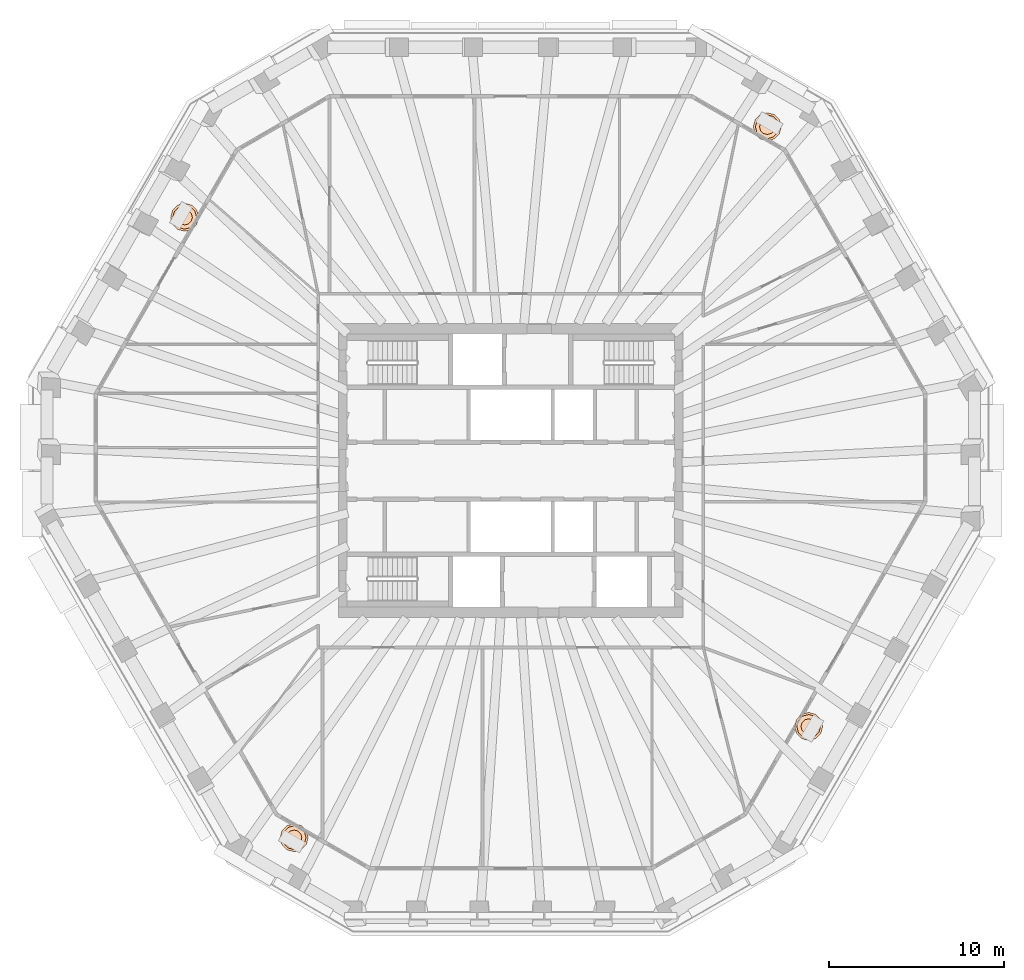
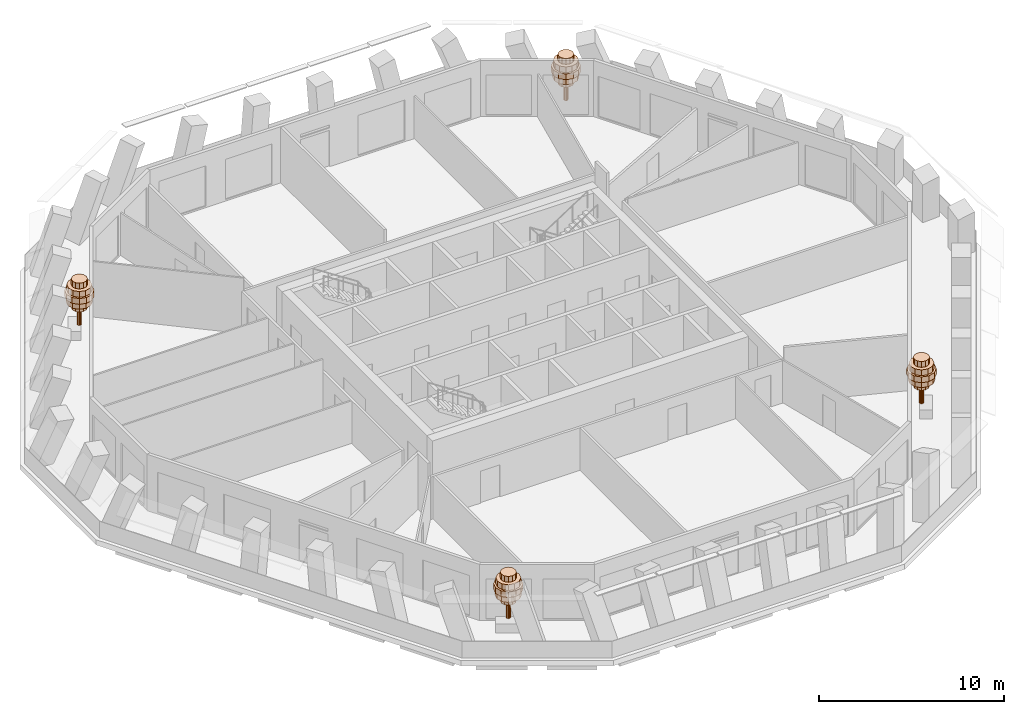
# One storey, part 12 of 12: 4 geographic elements.
"""IFC4 building model written with IfcOpenShell, lengths in metres."""

from ifc_helpers import new_model, si_unit, direction, frame, origin, place, context, subcontext, project, spatial, polyline, outline, extrude, material, type_object, element, save


model = new_model("IFC4")

# Units and contexts
model_context = context("Model", 3, precision=1e-05, world=origin(), true_north=direction((0.0, 1.0)))
body_context = subcontext(model_context, "Body", "Model", "MODEL_VIEW")
ifc_project = project(units=[si_unit("LENGTHUNIT", "METRE"), si_unit("AREAUNIT", "SQUARE_METRE"), si_unit("VOLUMEUNIT", "CUBIC_METRE"), si_unit("PLANEANGLEUNIT", "RADIAN"), si_unit("MASSUNIT", "GRAM", prefix="KILO")], contexts=[model_context])

# Site, building, storey
site_placement = place(None, origin())
site = spatial("IfcSite", under=ifc_project, at=site_placement, CompositionType="ELEMENT")
building_placement = place(site_placement, origin())
building = spatial("IfcBuilding", under=site, at=building_placement, Name="Frailejon Research Tower", CompositionType="ELEMENT")
storey_placement = place(building_placement, frame((0.0, 0.0, 253.39990234375)))
storey = spatial("IfcBuildingStorey", under=building, at=storey_placement, Name="L55", CompositionType="ELEMENT", Elevation=253.39990234375)

# Geographic elements
ifc_material = material(Name="Foliage, green")
geographic_element_type = type_object("IfcGeographicElementType", Name="Frailejon tree, loggia", PredefinedType="USERDEFINED", material=ifc_material)
geographic_element_1_placement = place(storey_placement, frame((14.659912109375, 19.64892578125, 0.60009765625)))
element("IfcGeographicElement", 1, at=geographic_element_1_placement, inside=storey, type_object=geographic_element_type, Name="Tree L55", ObjectType="TREE", PredefinedType="USERDEFINED", context=body_context, shape_type="SweptSolid", body=[
    extrude(outline(polyline([(0.1298828125, 0.0), (0.112548828125, 0.06494140625), (0.06494140625, 0.112548828125), (0.0, 0.1298828125), (-0.06494140625, 0.112548828125), (-0.112548828125, 0.06494140625), (-0.1298828125, 0.0), (-0.112548828125, -0.06494140625), (-0.06494140625, -0.112548828125), (0.0, -0.1298828125), (0.06494140625, -0.112548828125), (0.112548828125, -0.06494140625), (0.1298828125, 0.0)])), origin(), (0.0, 0.0, 1.0), 2.239990234375),
    extrude(outline(polyline([(0.43994140625, 0.0), (0.381103515625, 0.219970703125), (0.219970703125, 0.381103515625), (0.0, 0.43994140625), (-0.219970703125, 0.381103515625), (-0.381103515625, 0.219970703125), (-0.43994140625, 0.0), (-0.381103515625, -0.219970703125), (-0.219970703125, -0.381103515625), (0.0, -0.43994140625), (0.219970703125, -0.381103515625), (0.381103515625, -0.219970703125), (0.43994140625, 0.0)])), frame((0.0, 0.0, 1.10009765625)), (0.0, 0.0, 1.0), 0.3798828125),
    extrude(outline(polyline([(0.719970703125, 0.0), (0.62353515625, 0.360107421875), (0.360107421875, 0.62353515625), (0.0, 0.719970703125), (-0.360107421875, 0.62353515625), (-0.62353515625, 0.360107421875), (-0.719970703125, 0.0), (-0.62353515625, -0.360107421875), (-0.360107421875, -0.62353515625), (0.0, -0.719970703125), (0.360107421875, -0.62353515625), (0.62353515625, -0.360107421875), (0.719970703125, 0.0)])), frame((0.0, 0.0, 1.47998046875)), (0.0, 0.0, 1.0), 0.3798828125),
    extrude(outline(polyline([(0.800048828125, 0.0), (0.69287109375, 0.39990234375), (0.39990234375, 0.69287109375), (0.0, 0.800048828125), (-0.39990234375, 0.69287109375), (-0.69287109375, 0.39990234375), (-0.800048828125, 0.0), (-0.69287109375, -0.39990234375), (-0.39990234375, -0.69287109375), (0.0, -0.800048828125), (0.39990234375, -0.69287109375), (0.69287109375, -0.39990234375), (0.800048828125, 0.0)])), frame((0.0, 0.0, 1.860107421875)), (0.0, 0.0, 1.0), 0.3798828125),
    extrude(outline(polyline([(0.679931640625, 0.0), (0.5888671875, 0.340087890625), (0.340087890625, 0.5888671875), (0.0, 0.679931640625), (-0.340087890625, 0.5888671875), (-0.5888671875, 0.340087890625), (-0.679931640625, 0.0), (-0.5888671875, -0.340087890625), (-0.340087890625, -0.5888671875), (0.0, -0.679931640625), (0.340087890625, -0.5888671875), (0.5888671875, -0.340087890625), (0.679931640625, 0.0)])), frame((0.0, 0.0, 2.239990234375)), (0.0, 0.0, 1.0), 0.3798828125),
    extrude(outline(polyline([(0.43994140625, 0.0), (0.381103515625, 0.219970703125), (0.219970703125, 0.381103515625), (0.0, 0.43994140625), (-0.219970703125, 0.381103515625), (-0.381103515625, 0.219970703125), (-0.43994140625, 0.0), (-0.381103515625, -0.219970703125), (-0.219970703125, -0.381103515625), (0.0, -0.43994140625), (0.219970703125, -0.381103515625), (0.381103515625, -0.219970703125), (0.43994140625, 0.0)])), frame((0.0, 0.0, 2.6201171875)), (0.0, 0.0, 1.0), 0.3798828125),
])
geographic_element_2_placement = place(storey_placement, frame((-18.62548828125, 14.479736328125, 0.60009765625)))
element("IfcGeographicElement", 2, at=geographic_element_2_placement, inside=storey, type_object=geographic_element_type, Name="Tree L55", ObjectType="TREE", PredefinedType="USERDEFINED", context=body_context, shape_type="SweptSolid", body=[
    extrude(outline(polyline([(0.1298828125, 0.0), (0.112548828125, 0.06494140625), (0.06494140625, 0.112548828125), (0.0, 0.1298828125), (-0.06494140625, 0.112548828125), (-0.112548828125, 0.06494140625), (-0.1298828125, 0.0), (-0.112548828125, -0.06494140625), (-0.06494140625, -0.112548828125), (0.0, -0.1298828125), (0.06494140625, -0.112548828125), (0.112548828125, -0.06494140625), (0.1298828125, 0.0)])), origin(), (0.0, 0.0, 1.0), 2.239990234375),
    extrude(outline(polyline([(0.43994140625, 0.0), (0.381103515625, 0.219970703125), (0.219970703125, 0.381103515625), (0.0, 0.43994140625), (-0.219970703125, 0.381103515625), (-0.381103515625, 0.219970703125), (-0.43994140625, 0.0), (-0.381103515625, -0.219970703125), (-0.219970703125, -0.381103515625), (0.0, -0.43994140625), (0.219970703125, -0.381103515625), (0.381103515625, -0.219970703125), (0.43994140625, 0.0)])), frame((0.0, 0.0, 1.10009765625)), (0.0, 0.0, 1.0), 0.3798828125),
    extrude(outline(polyline([(0.719970703125, 0.0), (0.62353515625, 0.360107421875), (0.360107421875, 0.62353515625), (0.0, 0.719970703125), (-0.360107421875, 0.62353515625), (-0.62353515625, 0.360107421875), (-0.719970703125, 0.0), (-0.62353515625, -0.360107421875), (-0.360107421875, -0.62353515625), (0.0, -0.719970703125), (0.360107421875, -0.62353515625), (0.62353515625, -0.360107421875), (0.719970703125, 0.0)])), frame((0.0, 0.0, 1.47998046875)), (0.0, 0.0, 1.0), 0.3798828125),
    extrude(outline(polyline([(0.800048828125, 0.0), (0.69287109375, 0.39990234375), (0.39990234375, 0.69287109375), (0.0, 0.800048828125), (-0.39990234375, 0.69287109375), (-0.69287109375, 0.39990234375), (-0.800048828125, 0.0), (-0.69287109375, -0.39990234375), (-0.39990234375, -0.69287109375), (0.0, -0.800048828125), (0.39990234375, -0.69287109375), (0.69287109375, -0.39990234375), (0.800048828125, 0.0)])), frame((0.0, 0.0, 1.860107421875)), (0.0, 0.0, 1.0), 0.3798828125),
    extrude(outline(polyline([(0.679931640625, 0.0), (0.5888671875, 0.340087890625), (0.340087890625, 0.5888671875), (0.0, 0.679931640625), (-0.340087890625, 0.5888671875), (-0.5888671875, 0.340087890625), (-0.679931640625, 0.0), (-0.5888671875, -0.340087890625), (-0.340087890625, -0.5888671875), (0.0, -0.679931640625), (0.340087890625, -0.5888671875), (0.5888671875, -0.340087890625), (0.679931640625, 0.0)])), frame((0.0, 0.0, 2.239990234375)), (0.0, 0.0, 1.0), 0.3798828125),
    extrude(outline(polyline([(0.43994140625, 0.0), (0.381103515625, 0.219970703125), (0.219970703125, 0.381103515625), (0.0, 0.43994140625), (-0.219970703125, 0.381103515625), (-0.381103515625, 0.219970703125), (-0.43994140625, 0.0), (-0.381103515625, -0.219970703125), (-0.219970703125, -0.381103515625), (0.0, -0.43994140625), (0.219970703125, -0.381103515625), (0.381103515625, -0.219970703125), (0.43994140625, 0.0)])), frame((0.0, 0.0, 2.6201171875)), (0.0, 0.0, 1.0), 0.3798828125),
])
geographic_element_3_placement = place(storey_placement, frame((-12.373779296875, -20.96875, 0.60009765625)))
element("IfcGeographicElement", 3, at=geographic_element_3_placement, inside=storey, type_object=geographic_element_type, Name="Tree L55", ObjectType="TREE", PredefinedType="USERDEFINED", context=body_context, shape_type="SweptSolid", body=[
    extrude(outline(polyline([(0.1298828125, 0.0), (0.112548828125, 0.06494140625), (0.06494140625, 0.112548828125), (0.0, 0.1298828125), (-0.06494140625, 0.112548828125), (-0.112548828125, 0.06494140625), (-0.1298828125, 0.0), (-0.112548828125, -0.06494140625), (-0.06494140625, -0.112548828125), (0.0, -0.1298828125), (0.06494140625, -0.112548828125), (0.112548828125, -0.06494140625), (0.1298828125, 0.0)])), origin(), (0.0, 0.0, 1.0), 2.239990234375),
    extrude(outline(polyline([(0.43994140625, 0.0), (0.381103515625, 0.219970703125), (0.219970703125, 0.381103515625), (0.0, 0.43994140625), (-0.219970703125, 0.381103515625), (-0.381103515625, 0.219970703125), (-0.43994140625, 0.0), (-0.381103515625, -0.219970703125), (-0.219970703125, -0.381103515625), (0.0, -0.43994140625), (0.219970703125, -0.381103515625), (0.381103515625, -0.219970703125), (0.43994140625, 0.0)])), frame((0.0, 0.0, 1.10009765625)), (0.0, 0.0, 1.0), 0.3798828125),
    extrude(outline(polyline([(0.719970703125, 0.0), (0.62353515625, 0.360107421875), (0.360107421875, 0.62353515625), (0.0, 0.719970703125), (-0.360107421875, 0.62353515625), (-0.62353515625, 0.360107421875), (-0.719970703125, 0.0), (-0.62353515625, -0.360107421875), (-0.360107421875, -0.62353515625), (0.0, -0.719970703125), (0.360107421875, -0.62353515625), (0.62353515625, -0.360107421875), (0.719970703125, 0.0)])), frame((0.0, 0.0, 1.47998046875)), (0.0, 0.0, 1.0), 0.3798828125),
    extrude(outline(polyline([(0.800048828125, 0.0), (0.69287109375, 0.39990234375), (0.39990234375, 0.69287109375), (0.0, 0.800048828125), (-0.39990234375, 0.69287109375), (-0.69287109375, 0.39990234375), (-0.800048828125, 0.0), (-0.69287109375, -0.39990234375), (-0.39990234375, -0.69287109375), (0.0, -0.800048828125), (0.39990234375, -0.69287109375), (0.69287109375, -0.39990234375), (0.800048828125, 0.0)])), frame((0.0, 0.0, 1.860107421875)), (0.0, 0.0, 1.0), 0.3798828125),
    extrude(outline(polyline([(0.679931640625, 0.0), (0.5888671875, 0.340087890625), (0.340087890625, 0.5888671875), (0.0, 0.679931640625), (-0.340087890625, 0.5888671875), (-0.5888671875, 0.340087890625), (-0.679931640625, 0.0), (-0.5888671875, -0.340087890625), (-0.340087890625, -0.5888671875), (0.0, -0.679931640625), (0.340087890625, -0.5888671875), (0.5888671875, -0.340087890625), (0.679931640625, 0.0)])), frame((0.0, 0.0, 2.239990234375)), (0.0, 0.0, 1.0), 0.3798828125),
    extrude(outline(polyline([(0.43994140625, 0.0), (0.381103515625, 0.219970703125), (0.219970703125, 0.381103515625), (0.0, 0.43994140625), (-0.219970703125, 0.381103515625), (-0.381103515625, 0.219970703125), (-0.43994140625, 0.0), (-0.381103515625, -0.219970703125), (-0.219970703125, -0.381103515625), (0.0, -0.43994140625), (0.219970703125, -0.381103515625), (0.381103515625, -0.219970703125), (0.43994140625, 0.0)])), frame((0.0, 0.0, 2.6201171875)), (0.0, 0.0, 1.0), 0.3798828125),
])
geographic_element_4_placement = place(storey_placement, frame((17.025146484375, -14.61181640625, 0.60009765625)))
element("IfcGeographicElement", 4, at=geographic_element_4_placement, inside=storey, type_object=geographic_element_type, Name="Tree L55", ObjectType="TREE", PredefinedType="USERDEFINED", context=body_context, shape_type="SweptSolid", body=[
    extrude(outline(polyline([(0.1298828125, 0.0), (0.112548828125, 0.06494140625), (0.06494140625, 0.112548828125), (0.0, 0.1298828125), (-0.06494140625, 0.112548828125), (-0.112548828125, 0.06494140625), (-0.1298828125, 0.0), (-0.112548828125, -0.06494140625), (-0.06494140625, -0.112548828125), (0.0, -0.1298828125), (0.06494140625, -0.112548828125), (0.112548828125, -0.06494140625), (0.1298828125, 0.0)])), origin(), (0.0, 0.0, 1.0), 2.239990234375),
    extrude(outline(polyline([(0.43994140625, 0.0), (0.381103515625, 0.219970703125), (0.219970703125, 0.381103515625), (0.0, 0.43994140625), (-0.219970703125, 0.381103515625), (-0.381103515625, 0.219970703125), (-0.43994140625, 0.0), (-0.381103515625, -0.219970703125), (-0.219970703125, -0.381103515625), (0.0, -0.43994140625), (0.219970703125, -0.381103515625), (0.381103515625, -0.219970703125), (0.43994140625, 0.0)])), frame((0.0, 0.0, 1.10009765625)), (0.0, 0.0, 1.0), 0.3798828125),
    extrude(outline(polyline([(0.719970703125, 0.0), (0.62353515625, 0.360107421875), (0.360107421875, 0.62353515625), (0.0, 0.719970703125), (-0.360107421875, 0.62353515625), (-0.62353515625, 0.360107421875), (-0.719970703125, 0.0), (-0.62353515625, -0.360107421875), (-0.360107421875, -0.62353515625), (0.0, -0.719970703125), (0.360107421875, -0.62353515625), (0.62353515625, -0.360107421875), (0.719970703125, 0.0)])), frame((0.0, 0.0, 1.47998046875)), (0.0, 0.0, 1.0), 0.3798828125),
    extrude(outline(polyline([(0.800048828125, 0.0), (0.69287109375, 0.39990234375), (0.39990234375, 0.69287109375), (0.0, 0.800048828125), (-0.39990234375, 0.69287109375), (-0.69287109375, 0.39990234375), (-0.800048828125, 0.0), (-0.69287109375, -0.39990234375), (-0.39990234375, -0.69287109375), (0.0, -0.800048828125), (0.39990234375, -0.69287109375), (0.69287109375, -0.39990234375), (0.800048828125, 0.0)])), frame((0.0, 0.0, 1.860107421875)), (0.0, 0.0, 1.0), 0.3798828125),
    extrude(outline(polyline([(0.679931640625, 0.0), (0.5888671875, 0.340087890625), (0.340087890625, 0.5888671875), (0.0, 0.679931640625), (-0.340087890625, 0.5888671875), (-0.5888671875, 0.340087890625), (-0.679931640625, 0.0), (-0.5888671875, -0.340087890625), (-0.340087890625, -0.5888671875), (0.0, -0.679931640625), (0.340087890625, -0.5888671875), (0.5888671875, -0.340087890625), (0.679931640625, 0.0)])), frame((0.0, 0.0, 2.239990234375)), (0.0, 0.0, 1.0), 0.3798828125),
    extrude(outline(polyline([(0.43994140625, 0.0), (0.381103515625, 0.219970703125), (0.219970703125, 0.381103515625), (0.0, 0.43994140625), (-0.219970703125, 0.381103515625), (-0.381103515625, 0.219970703125), (-0.43994140625, 0.0), (-0.381103515625, -0.219970703125), (-0.219970703125, -0.381103515625), (0.0, -0.43994140625), (0.219970703125, -0.381103515625), (0.381103515625, -0.219970703125), (0.43994140625, 0.0)])), frame((0.0, 0.0, 2.6201171875)), (0.0, 0.0, 1.0), 0.3798828125),
])

save(model, "model.ifc")
